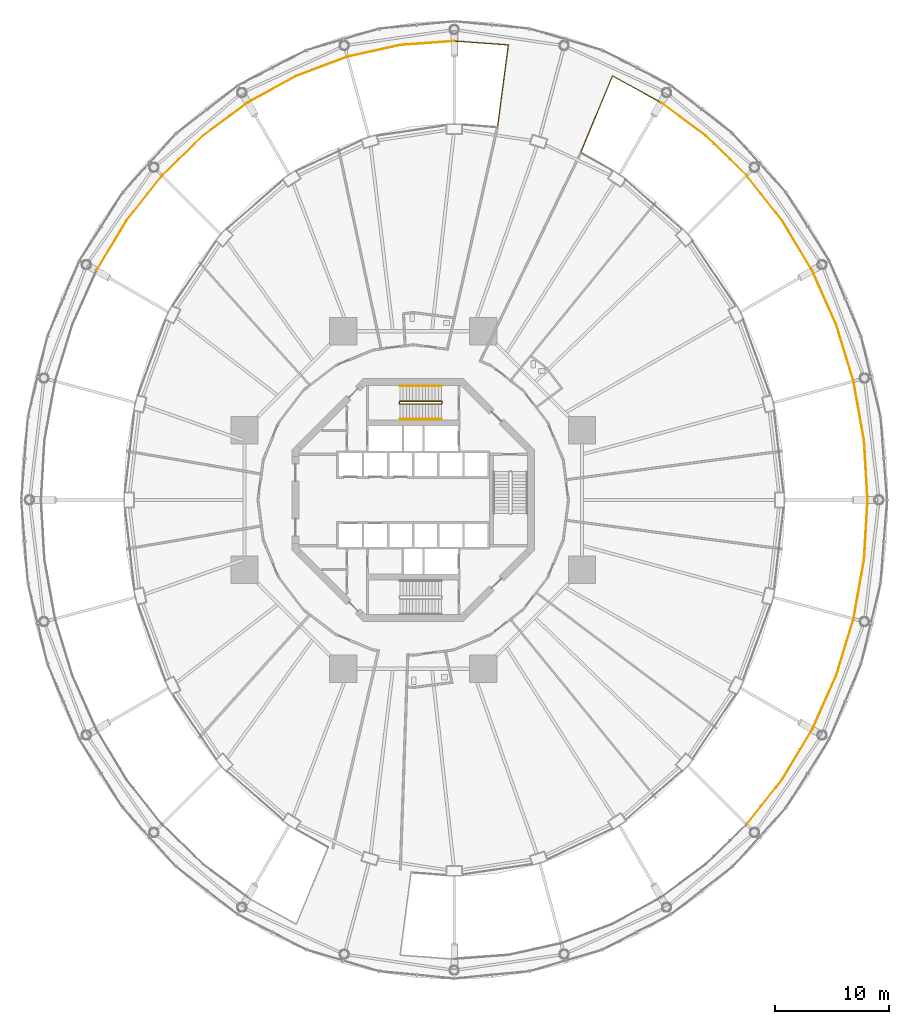
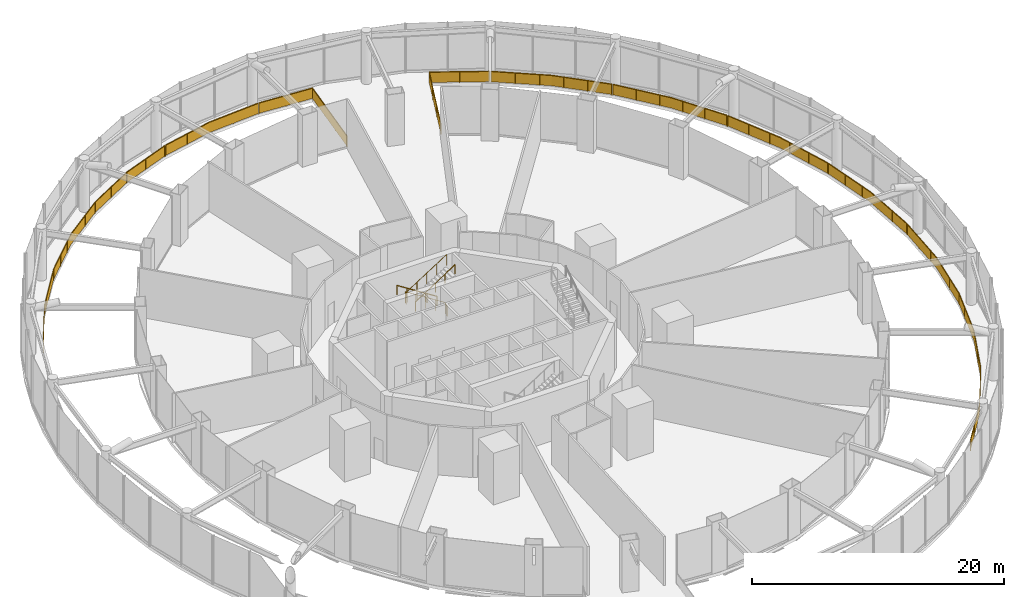
# One storey, part 51 of 52: 16 railings.
"""IFC4 building model written with IfcOpenShell, lengths in metres."""

from ifc_helpers import new_model, si_unit, direction, frame, origin, origin_2d, place, context, subcontext, project, spatial, polyline, rectangle, circle, outline, extrude, material, type_object, element, save


model = new_model("IFC4")

# Units and contexts
model_context = context("Model", 3, precision=1e-05, world=origin(), true_north=direction((0.0, 1.0)))
body_context = subcontext(model_context, "Body", "Model", "MODEL_VIEW")
ifc_project = project(units=[si_unit("LENGTHUNIT", "METRE"), si_unit("AREAUNIT", "SQUARE_METRE"), si_unit("VOLUMEUNIT", "CUBIC_METRE"), si_unit("PLANEANGLEUNIT", "RADIAN"), si_unit("MASSUNIT", "GRAM", prefix="KILO")], contexts=[model_context])

# Site, building, storey
site_placement = place(None, origin())
site = spatial("IfcSite", under=ifc_project, at=site_placement, CompositionType="ELEMENT")
building_placement = place(site_placement, origin())
building = spatial("IfcBuilding", under=site, at=building_placement, Name="Nagisa Residences", CompositionType="ELEMENT")
storey_placement = place(building_placement, frame((0.0, 0.0, 22.0)))
storey = spatial("IfcBuildingStorey", under=building, at=storey_placement, Name="L04", CompositionType="ELEMENT", Elevation=22.0)

# Railings
ifc_material_1 = material(Name="Stainless steel 316", Category="steel")
railing_type_1 = type_object("IfcRailingType", Name="ROOF GUARD 1100", PredefinedType="GUARDRAIL", material=ifc_material_1)
railing_1_placement = place(storey_placement, frame((7.390380859375, 32.75732421875, 0.0)))
element("IfcRailing", 1, at=railing_1_placement, inside=storey, type_object=railing_type_1, Name="guard:L04:gal0-00", PredefinedType="GUARDRAIL", context=body_context, shape_type="SweptSolid", body=[
    extrude(outline(polyline([(0.90625, 7.075927734375), (-0.02490234375, 0.003173828125), (0.02490234375, -0.003173828125), (0.962890625, 7.121826171875), (-3.748779296875, 7.464599609375), (-3.752197265625, 7.414794921875), (0.90625, 7.075927734375)])), frame((0.0, 0.0, 1.050048828125)), (0.0, 0.0, 1.0), 0.050048828125),
    extrude(outline(polyline([(0.9267578125, 7.092529296875), (-0.0068359375, 0.0009765625), (0.0068359375, -0.0009765625), (0.9423828125, 7.105224609375), (-3.75, 7.44677734375), (-3.7509765625, 7.4326171875), (0.9267578125, 7.092529296875)])), frame((0.0, 0.0, 0.06005859375)), (0.0, 0.0, 1.0), 0.989990234375),
    extrude(rectangle(XDim=0.0400390625, YDim=0.0400390625, at=origin_2d()), origin(), (0.0, 0.0, 1.0), 1.050048828125),
    extrude(rectangle(XDim=0.0400390625, YDim=0.0400390625, at=origin_2d()), frame((0.3095703125, 2.351318359375, 0.0)), (0.0, 0.0, 1.0), 1.050048828125),
    extrude(rectangle(XDim=0.0400390625, YDim=0.0400390625, at=origin_2d()), frame((0.619140625, 4.702392578125, 0.0)), (0.0, 0.0, 1.0), 1.050048828125),
    extrude(rectangle(XDim=0.0400390625, YDim=0.0400390625, at=origin_2d()), frame((0.9287109375, 7.0537109375, 0.0)), (0.0, 0.0, 1.0), 1.050048828125),
    extrude(rectangle(XDim=0.0400390625, YDim=0.0400390625, at=origin_2d()), frame((-1.38525390625, 7.267578125, 0.0)), (0.0, 0.0, 1.0), 1.050048828125),
    extrude(rectangle(XDim=0.0400390625, YDim=0.0400390625, at=origin_2d()), frame((-3.75048828125, 7.439697265625, 0.0)), (0.0, 0.0, 1.0), 1.050048828125),
])
railing_2_placement = place(storey_placement, frame((3.56005859375, 40.197021484375, 0.0)))
element("IfcRailing", 2, at=railing_2_placement, inside=storey, type_object=railing_type_1, Name="guard:L04:gal0-01", PredefinedType="GUARDRAIL", context=body_context, shape_type="SweptSolid", body=[
    extrude(outline(polyline([(-4.681396484375, -0.36572265625), (0.001708984375, -0.02490234375), (-0.001708984375, 0.02490234375), (-4.688720703125, -0.31591796875), (-9.295654296875, -1.333740234375), (-9.284912109375, -1.382568359375), (-4.681396484375, -0.36572265625)])), frame((0.0, 0.0, 1.050048828125)), (0.0, 0.0, 1.0), 0.050048828125),
    extrude(outline(polyline([(-4.68408203125, -0.34765625), (0.00048828125, -0.007080078125), (-0.00048828125, 0.007080078125), (-4.68603515625, -0.333984375), (-9.291748046875, -1.351318359375), (-9.288818359375, -1.364990234375), (-4.68408203125, -0.34765625)])), frame((0.0, 0.0, 0.06005859375)), (0.0, 0.0, 1.0), 0.989990234375),
    extrude(rectangle(XDim=0.0400390625, YDim=0.0400390625, at=origin_2d()), origin(), (0.0, 0.0, 1.0), 1.050048828125),
    extrude(rectangle(XDim=0.0400390625, YDim=0.0400390625, at=origin_2d()), frame((-2.34716796875, -0.170654296875, 0.0)), (0.0, 0.0, 1.0), 1.050048828125),
    extrude(rectangle(XDim=0.0400390625, YDim=0.0400390625, at=origin_2d()), frame((-4.6943359375, -0.3427734375, 0.0)), (0.0, 0.0, 1.0), 1.050048828125),
    extrude(rectangle(XDim=0.0400390625, YDim=0.0400390625, at=origin_2d()), frame((-6.9921875, -0.8505859375, 0.0)), (0.0, 0.0, 1.0), 1.050048828125),
    extrude(rectangle(XDim=0.0400390625, YDim=0.0400390625, at=origin_2d()), frame((-9.290283203125, -1.358154296875, 0.0)), (0.0, 0.0, 1.0), 1.050048828125),
])
railing_3_placement = place(storey_placement, frame((-5.806640625, 38.816162109375, 0.0)))
element("IfcRailing", 3, at=railing_3_placement, inside=storey, type_object=railing_type_1, Name="guard:L04:gal0-02", PredefinedType="GUARDRAIL", context=body_context, shape_type="SweptSolid", body=[
    extrude(outline(polyline([(-4.43603515625, -1.698974609375), (0.0087890625, -0.0234375), (-0.0087890625, 0.0234375), (-4.45703125, -1.653564453125), (-8.670166015625, -3.960693359375), (-8.646240234375, -4.004638671875), (-4.43603515625, -1.698974609375)])), frame((0.0, 0.0, 1.050048828125)), (0.0, 0.0, 1.0), 0.050048828125),
    extrude(outline(polyline([(-4.443603515625, -1.6826171875), (0.00244140625, -0.006591796875), (-0.00244140625, 0.006591796875), (-4.449462890625, -1.669921875), (-8.66162109375, -3.9765625), (-8.65478515625, -3.98876953125), (-4.443603515625, -1.6826171875)])), frame((0.0, 0.0, 0.06005859375)), (0.0, 0.0, 1.0), 0.989990234375),
    extrude(rectangle(XDim=0.0400390625, YDim=0.0400390625, at=origin_2d()), origin(), (0.0, 0.0, 1.0), 1.050048828125),
    extrude(rectangle(XDim=0.0400390625, YDim=0.0400390625, at=origin_2d()), frame((-2.23486328125, -0.842529296875, 0.0)), (0.0, 0.0, 1.0), 1.050048828125),
    extrude(rectangle(XDim=0.0400390625, YDim=0.0400390625, at=origin_2d()), frame((-4.468505859375, -1.688232421875, 0.0)), (0.0, 0.0, 1.0), 1.050048828125),
    extrude(rectangle(XDim=0.0400390625, YDim=0.0400390625, at=origin_2d()), frame((-6.563232421875, -2.83544921875, 0.0)), (0.0, 0.0, 1.0), 1.050048828125),
    extrude(rectangle(XDim=0.0400390625, YDim=0.0400390625, at=origin_2d()), frame((-8.658203125, -3.982666015625, 0.0)), (0.0, 0.0, 1.0), 1.050048828125),
])
railing_4_placement = place(storey_placement, frame((-14.5322265625, 34.790283203125, 0.0)))
element("IfcRailing", 4, at=railing_4_placement, inside=storey, type_object=railing_type_1, Name="guard:L04:gal0-03", PredefinedType="GUARDRAIL", context=body_context, shape_type="SweptSolid", body=[
    extrude(outline(polyline([(-3.888671875, -2.91650390625), (0.014892578125, -0.02001953125), (-0.014892578125, 0.02001953125), (-3.92138671875, -2.87841796875), (-7.453857421875, -6.31884765625), (-7.418701171875, -6.3544921875), (-3.888671875, -2.91650390625)])), frame((0.0, 0.0, 1.050048828125)), (0.0, 0.0, 1.0), 0.050048828125),
    extrude(outline(polyline([(-3.900390625, -2.90283203125), (0.004150390625, -0.005615234375), (-0.004150390625, 0.005615234375), (-3.90966796875, -2.89208984375), (-7.441162109375, -6.33154296875), (-7.431396484375, -6.341796875), (-3.900390625, -2.90283203125)])), frame((0.0, 0.0, 0.06005859375)), (0.0, 0.0, 1.0), 0.989990234375),
    extrude(rectangle(XDim=0.0400390625, YDim=0.0400390625, at=origin_2d()), origin(), (0.0, 0.0, 1.0), 1.050048828125),
    extrude(rectangle(XDim=0.0400390625, YDim=0.0400390625, at=origin_2d()), frame((-1.57275390625, -1.1669921875, 0.0)), (0.0, 0.0, 1.0), 1.050048828125),
    extrude(rectangle(XDim=0.0400390625, YDim=0.0400390625, at=origin_2d()), frame((-3.1455078125, -2.333984375, 0.0)), (0.0, 0.0, 1.0), 1.050048828125),
    extrude(rectangle(XDim=0.0400390625, YDim=0.0400390625, at=origin_2d()), frame((-4.63037109375, -3.60400390625, 0.0)), (0.0, 0.0, 1.0), 1.050048828125),
    extrude(rectangle(XDim=0.0400390625, YDim=0.0400390625, at=origin_2d()), frame((-6.033447265625, -4.97021484375, 0.0)), (0.0, 0.0, 1.0), 1.050048828125),
    extrude(rectangle(XDim=0.0400390625, YDim=0.0400390625, at=origin_2d()), frame((-7.436279296875, -6.336669921875, 0.0)), (0.0, 0.0, 1.0), 1.050048828125),
])
railing_5_placement = place(storey_placement, frame((-22.02197265625, 28.394287109375, 0.0)))
element("IfcRailing", 5, at=railing_5_placement, inside=storey, type_object=railing_type_1, Name="guard:L04:gal0-04", PredefinedType="GUARDRAIL", context=body_context, shape_type="SweptSolid", body=[
    extrude(outline(polyline([(-3.076904296875, -3.936279296875), (0.01953125, -0.015625), (-0.01953125, 0.015625), (-3.117919921875, -3.907958984375), (-5.72900390625, -8.2470703125), (-5.68603515625, -8.27294921875), (-3.076904296875, -3.936279296875)])), frame((0.0, 0.0, 1.050048828125)), (0.0, 0.0, 1.0), 0.050048828125),
    extrude(outline(polyline([(-3.091552734375, -3.926025390625), (0.005615234375, -0.00439453125), (-0.005615234375, 0.00439453125), (-3.103271484375, -3.918212890625), (-5.713623046875, -8.25634765625), (-5.701416015625, -8.263671875), (-3.091552734375, -3.926025390625)])), frame((0.0, 0.0, 0.06005859375)), (0.0, 0.0, 1.0), 0.989990234375),
    extrude(rectangle(XDim=0.0400390625, YDim=0.0400390625, at=origin_2d()), origin(), (0.0, 0.0, 1.0), 1.050048828125),
    extrude(rectangle(XDim=0.0400390625, YDim=0.0400390625, at=origin_2d()), frame((-1.2470703125, -1.5791015625, 0.0)), (0.0, 0.0, 1.0), 1.050048828125),
    extrude(rectangle(XDim=0.0400390625, YDim=0.0400390625, at=origin_2d()), frame((-2.494140625, -3.157958984375, 0.0)), (0.0, 0.0, 1.0), 1.050048828125),
    extrude(rectangle(XDim=0.0400390625, YDim=0.0400390625, at=origin_2d()), frame((-3.6328125, -4.81201171875, 0.0)), (0.0, 0.0, 1.0), 1.050048828125),
    extrude(rectangle(XDim=0.0400390625, YDim=0.0400390625, at=origin_2d()), frame((-4.670166015625, -6.535888671875, 0.0)), (0.0, 0.0, 1.0), 1.050048828125),
    extrude(rectangle(XDim=0.0400390625, YDim=0.0400390625, at=origin_2d()), frame((-5.70751953125, -8.260009765625, 0.0)), (0.0, 0.0, 1.0), 1.050048828125),
])
railing_6_placement = place(storey_placement, frame((29.22216796875, -28.394287109375, 0.0)))
element("IfcRailing", 6, at=railing_6_placement, inside=storey, type_object=railing_type_1, Name="guard:L04:gal1-04", PredefinedType="GUARDRAIL", context=body_context, shape_type="SweptSolid", body=[
    extrude(outline(polyline([(3.07666015625, 3.936279296875), (-0.01953125, 0.015625), (0.01953125, -0.015625), (3.11767578125, 3.907958984375), (5.728759765625, 8.2470703125), (5.685791015625, 8.27294921875), (3.07666015625, 3.936279296875)])), frame((0.0, 0.0, 1.050048828125)), (0.0, 0.0, 1.0), 0.050048828125),
    extrude(outline(polyline([(3.09130859375, 3.926025390625), (-0.005615234375, 0.00439453125), (0.005615234375, -0.00439453125), (3.10302734375, 3.918212890625), (5.71337890625, 8.25634765625), (5.701171875, 8.263671875), (3.09130859375, 3.926025390625)])), frame((0.0, 0.0, 0.06005859375)), (0.0, 0.0, 1.0), 0.989990234375),
    extrude(rectangle(XDim=0.0400390625, YDim=0.0400390625, at=origin_2d()), origin(), (0.0, 0.0, 1.0), 1.050048828125),
    extrude(rectangle(XDim=0.0400390625, YDim=0.0400390625, at=origin_2d()), frame((1.246826171875, 1.5791015625, 0.0)), (0.0, 0.0, 1.0), 1.050048828125),
    extrude(rectangle(XDim=0.0400390625, YDim=0.0400390625, at=origin_2d()), frame((2.493896484375, 3.158203125, 0.0)), (0.0, 0.0, 1.0), 1.050048828125),
    extrude(rectangle(XDim=0.0400390625, YDim=0.0400390625, at=origin_2d()), frame((3.632568359375, 4.81201171875, 0.0)), (0.0, 0.0, 1.0), 1.050048828125),
    extrude(rectangle(XDim=0.0400390625, YDim=0.0400390625, at=origin_2d()), frame((4.669921875, 6.535888671875, 0.0)), (0.0, 0.0, 1.0), 1.050048828125),
    extrude(rectangle(XDim=0.0400390625, YDim=0.0400390625, at=origin_2d()), frame((5.707275390625, 8.260009765625, 0.0)), (0.0, 0.0, 1.0), 1.050048828125),
])
railing_7_placement = place(storey_placement, frame((34.96630859375, -20.0634765625, 0.0)))
element("IfcRailing", 7, at=railing_7_placement, inside=storey, type_object=railing_type_1, Name="guard:L04:gal1-05", PredefinedType="GUARDRAIL", context=body_context, shape_type="SweptSolid", body=[
    extrude(outline(polyline([(2.0546875, 4.6884765625), (-0.02294921875, 0.01025390625), (0.02294921875, -0.01025390625), (2.1015625, 4.6708984375), (3.612548828125, 9.61328125), (3.564697265625, 9.6279296875), (2.0546875, 4.6884765625)])), frame((0.0, 0.0, 1.050048828125)), (0.0, 0.0, 1.0), 0.050048828125),
    extrude(outline(polyline([(2.071533203125, 4.68212890625), (-0.00634765625, 0.0029296875), (0.00634765625, -0.0029296875), (2.084716796875, 4.67724609375), (3.59521484375, 9.61865234375), (3.58203125, 9.62255859375), (2.071533203125, 4.68212890625)])), frame((0.0, 0.0, 0.06005859375)), (0.0, 0.0, 1.0), 0.989990234375),
    extrude(rectangle(XDim=0.0400390625, YDim=0.0400390625, at=origin_2d()), origin(), (0.0, 0.0, 1.0), 1.050048828125),
    extrude(rectangle(XDim=0.0400390625, YDim=0.0400390625, at=origin_2d()), frame((0.8349609375, 1.88037109375, 0.0)), (0.0, 0.0, 1.0), 1.050048828125),
    extrude(rectangle(XDim=0.0400390625, YDim=0.0400390625, at=origin_2d()), frame((1.669921875, 3.7607421875, 0.0)), (0.0, 0.0, 1.0), 1.050048828125),
    extrude(rectangle(XDim=0.0400390625, YDim=0.0400390625, at=origin_2d()), frame((2.3857421875, 5.685546875, 0.0)), (0.0, 0.0, 1.0), 1.050048828125),
    extrude(rectangle(XDim=0.0400390625, YDim=0.0400390625, at=origin_2d()), frame((2.987060546875, 7.653076171875, 0.0)), (0.0, 0.0, 1.0), 1.050048828125),
    extrude(rectangle(XDim=0.0400390625, YDim=0.0400390625, at=origin_2d()), frame((3.588623046875, 9.62060546875, 0.0)), (0.0, 0.0, 1.0), 1.050048828125),
])
railing_8_placement = place(storey_placement, frame((38.573486328125, -10.365234375, 0.0)))
element("IfcRailing", 8, at=railing_8_placement, inside=storey, type_object=railing_type_1, Name="guard:L04:gal1-06", PredefinedType="GUARDRAIL", context=body_context, shape_type="SweptSolid", body=[
    extrude(outline(polyline([(0.891845703125, 5.12109375), (-0.024658203125, 0.00439453125), (0.024658203125, -0.00439453125), (0.941650390625, 5.115234375), (1.2490234375, 10.32373046875), (1.19921875, 10.32666015625), (0.891845703125, 5.12109375)])), frame((0.0, 0.0, 1.050048828125)), (0.0, 0.0, 1.0), 0.050048828125),
    extrude(outline(polyline([(0.90966796875, 5.118896484375), (-0.0068359375, 0.001220703125), (0.0068359375, -0.001220703125), (0.923828125, 5.117431640625), (1.231201171875, 10.32470703125), (1.217041015625, 10.32568359375), (0.90966796875, 5.118896484375)])), frame((0.0, 0.0, 0.06005859375)), (0.0, 0.0, 1.0), 0.989990234375),
    extrude(rectangle(XDim=0.0400390625, YDim=0.0400390625, at=origin_2d()), origin(), (0.0, 0.0, 1.0), 1.050048828125),
    extrude(rectangle(XDim=0.0400390625, YDim=0.0400390625, at=origin_2d()), frame((0.3671875, 2.050537109375, 0.0)), (0.0, 0.0, 1.0), 1.050048828125),
    extrude(rectangle(XDim=0.0400390625, YDim=0.0400390625, at=origin_2d()), frame((0.734619140625, 4.10107421875, 0.0)), (0.0, 0.0, 1.0), 1.050048828125),
    extrude(rectangle(XDim=0.0400390625, YDim=0.0400390625, at=origin_2d()), frame((0.978515625, 6.166259765625, 0.0)), (0.0, 0.0, 1.0), 1.050048828125),
    extrude(rectangle(XDim=0.0400390625, YDim=0.0400390625, at=origin_2d()), frame((1.101318359375, 8.24560546875, 0.0)), (0.0, 0.0, 1.0), 1.050048828125),
    extrude(rectangle(XDim=0.0400390625, YDim=0.0400390625, at=origin_2d()), frame((1.22412109375, 10.3251953125, 0.0)), (0.0, 0.0, 1.0), 1.050048828125),
])
railing_9_placement = place(storey_placement, frame((39.797607421875, 0.0400390625, 0.0)))
element("IfcRailing", 9, at=railing_9_placement, inside=storey, type_object=railing_type_1, Name="guard:L04:gal1-07", PredefinedType="GUARDRAIL", context=body_context, shape_type="SweptSolid", body=[
    extrude(outline(polyline([(-0.332275390625, 5.2041015625), (-0.02490234375, -0.00146484375), (0.02490234375, 0.00146484375), (-0.282470703125, 5.2099609375), (-1.199462890625, 10.32958984375), (-1.248779296875, 10.32080078125), (-0.332275390625, 5.2041015625)])), frame((0.0, 0.0, 1.050048828125)), (0.0, 0.0, 1.0), 0.050048828125),
    extrude(outline(polyline([(-0.314453125, 5.206298828125), (-0.007080078125, -0.00048828125), (0.007080078125, 0.00048828125), (-0.30029296875, 5.207763671875), (-1.21728515625, 10.326416015625), (-1.23095703125, 10.323974609375), (-0.314453125, 5.206298828125)])), frame((0.0, 0.0, 0.06005859375)), (0.0, 0.0, 1.0), 0.989990234375),
    extrude(rectangle(XDim=0.0400390625, YDim=0.0400390625, at=origin_2d()), origin(), (0.0, 0.0, 1.0), 1.050048828125),
    extrude(rectangle(XDim=0.0400390625, YDim=0.0400390625, at=origin_2d()), frame((-0.122802734375, 2.07958984375, 0.0)), (0.0, 0.0, 1.0), 1.050048828125),
    extrude(rectangle(XDim=0.0400390625, YDim=0.0400390625, at=origin_2d()), frame((-0.24560546875, 4.158935546875, 0.0)), (0.0, 0.0, 1.0), 1.050048828125),
    extrude(rectangle(XDim=0.0400390625, YDim=0.0400390625, at=origin_2d()), frame((-0.489501953125, 6.22412109375, 0.0)), (0.0, 0.0, 1.0), 1.050048828125),
    extrude(rectangle(XDim=0.0400390625, YDim=0.0400390625, at=origin_2d()), frame((-0.85693359375, 8.274658203125, 0.0)), (0.0, 0.0, 1.0), 1.050048828125),
    extrude(rectangle(XDim=0.0400390625, YDim=0.0400390625, at=origin_2d()), frame((-1.22412109375, 10.3251953125, 0.0)), (0.0, 0.0, 1.0), 1.050048828125),
])
railing_10_placement = place(storey_placement, frame((38.554931640625, 10.44287109375, 0.0)))
element("IfcRailing", 10, at=railing_10_placement, inside=storey, type_object=railing_type_1, Name="guard:L04:gal1-08", PredefinedType="GUARDRAIL", context=body_context, shape_type="SweptSolid", body=[
    extrude(outline(polyline([(-1.533935546875, 4.93212890625), (-0.02392578125, -0.00732421875), (0.02392578125, 0.00732421875), (-1.487060546875, 4.94970703125), (-3.565673828125, 9.630859375), (-3.611572265625, 9.6103515625), (-1.533935546875, 4.93212890625)])), frame((0.0, 0.0, 1.050048828125)), (0.0, 0.0, 1.0), 0.050048828125),
    extrude(outline(polyline([(-1.51708984375, 4.9384765625), (-0.006591796875, -0.001953125), (0.006591796875, 0.001953125), (-1.50390625, 4.943359375), (-3.582275390625, 9.62353515625), (-3.594970703125, 9.61767578125), (-1.51708984375, 4.9384765625)])), frame((0.0, 0.0, 0.06005859375)), (0.0, 0.0, 1.0), 0.989990234375),
    extrude(rectangle(XDim=0.0400390625, YDim=0.0400390625, at=origin_2d()), origin(), (0.0, 0.0, 1.0), 1.050048828125),
    extrude(rectangle(XDim=0.0400390625, YDim=0.0400390625, at=origin_2d()), frame((-0.6015625, 1.967529296875, 0.0)), (0.0, 0.0, 1.0), 1.050048828125),
    extrude(rectangle(XDim=0.0400390625, YDim=0.0400390625, at=origin_2d()), frame((-1.202880859375, 3.93505859375, 0.0)), (0.0, 0.0, 1.0), 1.050048828125),
    extrude(rectangle(XDim=0.0400390625, YDim=0.0400390625, at=origin_2d()), frame((-1.918701171875, 5.85986328125, 0.0)), (0.0, 0.0, 1.0), 1.050048828125),
    extrude(rectangle(XDim=0.0400390625, YDim=0.0400390625, at=origin_2d()), frame((-2.753662109375, 7.740234375, 0.0)), (0.0, 0.0, 1.0), 1.050048828125),
    extrude(rectangle(XDim=0.0400390625, YDim=0.0400390625, at=origin_2d()), frame((-3.588623046875, 9.62060546875, 0.0)), (0.0, 0.0, 1.0), 1.050048828125),
])
railing_11_placement = place(storey_placement, frame((34.929443359375, 20.13427734375, 0.0)))
element("IfcRailing", 11, at=railing_11_placement, inside=storey, type_object=railing_type_1, Name="guard:L04:gal1-09", PredefinedType="GUARDRAIL", context=body_context, shape_type="SweptSolid", body=[
    extrude(outline(polyline([(-2.630615234375, 4.32373046875), (-0.021484375, -0.012939453125), (0.021484375, 0.012939453125), (-2.589599609375, 4.35205078125), (-5.687744140625, 8.275634765625), (-5.726806640625, 8.244384765625), (-2.630615234375, 4.32373046875)])), frame((0.0, 0.0, 1.050048828125)), (0.0, 0.0, 1.0), 0.050048828125),
    extrude(outline(polyline([(-2.615966796875, 4.333984375), (-0.006103515625, -0.003662109375), (0.006103515625, 0.003662109375), (-2.604248046875, 4.341796875), (-5.70166015625, 8.264404296875), (-5.712890625, 8.255615234375), (-2.615966796875, 4.333984375)])), frame((0.0, 0.0, 0.06005859375)), (0.0, 0.0, 1.0), 0.989990234375),
    extrude(rectangle(XDim=0.0400390625, YDim=0.0400390625, at=origin_2d()), origin(), (0.0, 0.0, 1.0), 1.050048828125),
    extrude(rectangle(XDim=0.0400390625, YDim=0.0400390625, at=origin_2d()), frame((-1.037353515625, 1.72412109375, 0.0)), (0.0, 0.0, 1.0), 1.050048828125),
    extrude(rectangle(XDim=0.0400390625, YDim=0.0400390625, at=origin_2d()), frame((-2.07470703125, 3.447998046875, 0.0)), (0.0, 0.0, 1.0), 1.050048828125),
    extrude(rectangle(XDim=0.0400390625, YDim=0.0400390625, at=origin_2d()), frame((-3.21337890625, 5.101806640625, 0.0)), (0.0, 0.0, 1.0), 1.050048828125),
    extrude(rectangle(XDim=0.0400390625, YDim=0.0400390625, at=origin_2d()), frame((-4.46044921875, 6.680908203125, 0.0)), (0.0, 0.0, 1.0), 1.050048828125),
    extrude(rectangle(XDim=0.0400390625, YDim=0.0400390625, at=origin_2d()), frame((-5.707275390625, 8.260009765625, 0.0)), (0.0, 0.0, 1.0), 1.050048828125),
])
railing_12_placement = place(storey_placement, frame((29.168701171875, 28.45361328125, 0.0)))
element("IfcRailing", 12, at=railing_12_placement, inside=storey, type_object=railing_type_1, Name="guard:L04:gal1-10", PredefinedType="GUARDRAIL", context=body_context, shape_type="SweptSolid", body=[
    extrude(outline(polyline([(-3.5478515625, 3.420166015625), (-0.017578125, -0.017822265625), (0.017578125, 0.017822265625), (-3.51513671875, 3.458251953125), (-7.421630859375, 6.356689453125), (-7.451416015625, 6.316650390625), (-3.5478515625, 3.420166015625)])), frame((0.0, 0.0, 1.050048828125)), (0.0, 0.0, 1.0), 0.050048828125),
    extrude(outline(polyline([(-3.5361328125, 3.433837890625), (-0.0048828125, -0.005126953125), (0.0048828125, 0.005126953125), (-3.52685546875, 3.444580078125), (-7.432373046875, 6.34228515625), (-7.440673828125, 6.3310546875), (-3.5361328125, 3.433837890625)])), frame((0.0, 0.0, 0.06005859375)), (0.0, 0.0, 1.0), 0.989990234375),
    extrude(rectangle(XDim=0.0400390625, YDim=0.0400390625, at=origin_2d()), origin(), (0.0, 0.0, 1.0), 1.050048828125),
    extrude(rectangle(XDim=0.0400390625, YDim=0.0400390625, at=origin_2d()), frame((-1.403076171875, 1.366455078125, 0.0)), (0.0, 0.0, 1.0), 1.050048828125),
    extrude(rectangle(XDim=0.0400390625, YDim=0.0400390625, at=origin_2d()), frame((-2.805908203125, 2.732666015625, 0.0)), (0.0, 0.0, 1.0), 1.050048828125),
    extrude(rectangle(XDim=0.0400390625, YDim=0.0400390625, at=origin_2d()), frame((-4.291015625, 4.002685546875, 0.0)), (0.0, 0.0, 1.0), 1.050048828125),
    extrude(rectangle(XDim=0.0400390625, YDim=0.0400390625, at=origin_2d()), frame((-5.86376953125, 5.169677734375, 0.0)), (0.0, 0.0, 1.0), 1.050048828125),
    extrude(rectangle(XDim=0.0400390625, YDim=0.0400390625, at=origin_2d()), frame((-7.4365234375, 6.336669921875, 0.0)), (0.0, 0.0, 1.0), 1.050048828125),
])
railing_13_placement = place(storey_placement, frame((21.664794921875, 34.83349609375, 0.0)))
element("IfcRailing", 13, at=railing_13_placement, inside=storey, type_object=railing_type_1, Name="guard:L04:gal1-11", PredefinedType="GUARDRAIL", context=body_context, shape_type="SweptSolid", body=[
    extrude(outline(polyline([(-4.19921875, 2.27099609375), (-0.011962890625, -0.02197265625), (0.011962890625, 0.02197265625), (-4.22412109375, 2.341796875), (-6.974853515625, -4.299072265625), (-6.928466796875, -4.318115234375), (-4.19921875, 2.27099609375)])), frame((0.0, 0.0, 1.050048828125)), (0.0, 0.0, 1.0), 0.050048828125),
    extrude(outline(polyline([(-4.208251953125, 2.296630859375), (-0.00341796875, -0.006103515625), (0.00341796875, 0.006103515625), (-4.215087890625, 2.316162109375), (-6.9580078125, -4.305908203125), (-6.9453125, -4.311279296875), (-4.208251953125, 2.296630859375)])), frame((0.0, 0.0, 0.06005859375)), (0.0, 0.0, 1.0), 0.989990234375),
    extrude(rectangle(XDim=0.0400390625, YDim=0.0400390625, at=origin_2d()), origin(), (0.0, 0.0, 1.0), 1.050048828125),
    extrude(rectangle(XDim=0.0400390625, YDim=0.0400390625, at=origin_2d()), frame((-2.098388671875, 1.149169921875, 0.0)), (0.0, 0.0, 1.0), 1.050048828125),
    extrude(rectangle(XDim=0.0400390625, YDim=0.0400390625, at=origin_2d()), frame((-4.19677734375, 2.298095703125, 0.0)), (0.0, 0.0, 1.0), 1.050048828125),
    extrude(rectangle(XDim=0.0400390625, YDim=0.0400390625, at=origin_2d()), frame((-5.12060546875, 0.11181640625, 0.0)), (0.0, 0.0, 1.0), 1.050048828125),
    extrude(rectangle(XDim=0.0400390625, YDim=0.0400390625, at=origin_2d()), frame((-6.0361328125, -2.098388671875, 0.0)), (0.0, 0.0, 1.0), 1.050048828125),
    extrude(rectangle(XDim=0.0400390625, YDim=0.0400390625, at=origin_2d()), frame((-6.95166015625, -4.30859375, 0.0)), (0.0, 0.0, 1.0), 1.050048828125),
])
ifc_material_2 = material(Name="Stainless steel", Category="steel")
railing_type_2 = type_object("IfcRailingType", Name="Stair guard 1100", PredefinedType="GUARDRAIL", material=ifc_material_2)
railing_14_placement = place(storey_placement, frame((2.52490234375, 8.44970703125, 0.0)))
element("IfcRailing", 14, at=railing_14_placement, inside=storey, type_object=railing_type_2, Name="L04 ST-N stair guard 1", PredefinedType="GUARDRAIL", context=body_context, shape_type="SweptSolid", body=[
    extrude(circle(Radius=0.02392578125, at=origin_2d()), frame((0.0, 0.0, 1.076171875), z_axis=(0.0, 1.0, 0.0), x_axis=(-1.0, 0.0, 0.0)), (0.0, 0.0, 1.0), 0.14990234375),
    extrude(circle(Radius=0.02392578125, at=origin_2d()), frame((0.0, 0.14990234375, 1.076171875), z_axis=(-0.25949872427, 0.26077077684, 0.929870428634), x_axis=(-0.708833529934, -0.705375805398, 0.0)), (0.0, 0.0, 1.0), 0.19189453125),
    extrude(circle(Radius=0.02392578125, at=origin_2d()), frame((-0.0498046875, 0.199951171875, 1.25439453125), z_axis=(-0.843127859045, 0.0, 0.537713132908), x_axis=(0.0, -1.0, 0.0)), (0.0, 0.0, 1.0), 4.3173828125),
    extrude(circle(Radius=0.02392578125, at=origin_2d()), frame((-3.68994140625, 0.199951171875, 3.576171875), z_axis=(-0.707106781187, -0.707106781187, 0.0), x_axis=(0.707106781187, -0.707106781187, 0.0)), (0.0, 0.0, 1.0), 0.07080078125),
    extrude(circle(Radius=0.02392578125, at=origin_2d()), frame((-3.739990234375, 0.14990234375, 3.576171875), z_axis=(0.0, -1.0, 0.0), x_axis=(1.0, 0.0, 0.0)), (0.0, 0.0, 1.0), 0.14990234375),
    extrude(circle(Radius=0.02392578125, at=origin_2d()), frame((-3.739990234375, 0.0, 3.576171875), z_axis=(0.260684529273, -0.260684529273, 0.929562882432), x_axis=(0.707106781187, 0.707106781187, 0.0)), (0.0, 0.0, 1.0), 0.19189453125),
    extrude(circle(Radius=0.02392578125, at=origin_2d()), frame((-3.68994140625, -0.050048828125, 3.75439453125), z_axis=(0.843127859045, 0.0, 0.537713132908), x_axis=(0.0, 1.0, 0.0)), (0.0, 0.0, 1.0), 4.3173828125),
    extrude(circle(Radius=0.02099609375, at=origin_2d()), origin(), (0.0, 0.0, 1.0), 1.052001953125),
    extrude(circle(Radius=0.02099609375, at=origin_2d()), frame((0.0, 0.14990234375, 0.0)), (0.0, 0.0, 1.0), 1.052001953125),
    extrude(circle(Radius=0.02099609375, at=origin_2d()), frame((-0.0498046875, 0.199951171875, 0.178466796875)), (0.0, 0.0, 1.0), 1.052001953125),
    extrude(circle(Radius=0.02099609375, at=origin_2d()), frame((-0.9599609375, 0.199951171875, 0.7587890625)), (0.0, 0.0, 1.0), 1.052001953125),
    extrude(circle(Radius=0.02099609375, at=origin_2d()), frame((-1.869873046875, 0.199951171875, 1.33935546875)), (0.0, 0.0, 1.0), 1.052001953125),
    extrude(circle(Radius=0.02099609375, at=origin_2d()), frame((-2.77978515625, 0.199951171875, 1.919677734375)), (0.0, 0.0, 1.0), 1.052001953125),
    extrude(circle(Radius=0.02099609375, at=origin_2d()), frame((-3.68994140625, 0.199951171875, 2.5)), (0.0, 0.0, 1.0), 1.052001953125),
    extrude(circle(Radius=0.02099609375, at=origin_2d()), frame((-3.739990234375, 0.14990234375, 2.5)), (0.0, 0.0, 1.0), 1.052001953125),
    extrude(circle(Radius=0.02099609375, at=origin_2d()), frame((-3.739990234375, 0.0, 2.5)), (0.0, 0.0, 1.0), 1.052001953125),
    extrude(circle(Radius=0.02099609375, at=origin_2d()), frame((-3.68994140625, -0.050048828125, 2.678466796875)), (0.0, 0.0, 1.0), 1.052001953125),
    extrude(circle(Radius=0.02099609375, at=origin_2d()), frame((-2.77978515625, -0.050048828125, 3.2587890625)), (0.0, 0.0, 1.0), 1.052001953125),
    extrude(circle(Radius=0.02099609375, at=origin_2d()), frame((-1.869873046875, -0.050048828125, 3.83935546875)), (0.0, 0.0, 1.0), 1.052001953125),
    extrude(circle(Radius=0.02099609375, at=origin_2d()), frame((-0.9599609375, -0.050048828125, 4.419677734375)), (0.0, 0.0, 1.0), 1.052001953125),
    extrude(circle(Radius=0.02099609375, at=origin_2d()), frame((-0.0498046875, -0.050048828125, 5.0)), (0.0, 0.0, 1.0), 1.052001953125),
])
ifc_material_3 = material(Name="Stainless steel", Category="steel")
railing_type_3 = type_object("IfcRailingType", Name="Stair handrail 900", PredefinedType="HANDRAIL", material=ifc_material_3)
railing_15_placement = place(storey_placement, frame((2.47509765625, 9.974609375, 0.178466796875)))
element("IfcRailing", 15, at=railing_15_placement, inside=storey, type_object=railing_type_3, Name="L04 ST-N stair handrail 1", PredefinedType="HANDRAIL", context=body_context, shape_type="SweptSolid", body=[
    extrude(circle(Radius=0.02392578125, at=origin_2d()), frame((0.0, 0.0, 0.8759765625), z_axis=(-0.843127859045, 0.0, 0.537713132908), x_axis=(0.0, -1.0, 0.0)), (0.0, 0.0, 1.0), 4.3173828125),
    extrude(circle(Radius=0.02099609375, at=origin_2d()), origin(), (0.0, 0.0, 1.0), 0.851806640625),
    extrude(circle(Radius=0.02099609375, at=origin_2d()), frame((-0.91015625, 0.0, 0.580322265625)), (0.0, 0.0, 1.0), 0.851806640625),
    extrude(circle(Radius=0.02099609375, at=origin_2d()), frame((-1.820068359375, 0.0, 1.16064453125)), (0.0, 0.0, 1.0), 0.851806640625),
    extrude(circle(Radius=0.02099609375, at=origin_2d()), frame((-2.72998046875, 0.0, 1.7412109375)), (0.0, 0.0, 1.0), 0.851806640625),
    extrude(circle(Radius=0.02099609375, at=origin_2d()), frame((-3.64013671875, 0.0, 2.321533203125)), (0.0, 0.0, 1.0), 0.851806640625),
])
railing_16_placement = place(storey_placement, frame((-1.1650390625, 7.07470703125, 2.678466796875)))
element("IfcRailing", 16, at=railing_16_placement, inside=storey, type_object=railing_type_3, Name="L04 ST-N stair handrail 2", PredefinedType="HANDRAIL", context=body_context, shape_type="SweptSolid", body=[
    extrude(circle(Radius=0.02392578125, at=origin_2d()), frame((0.0, 0.0, 0.8759765625), z_axis=(0.843127859045, 0.0, 0.537713132908), x_axis=(0.0, 1.0, 0.0)), (0.0, 0.0, 1.0), 4.3173828125),
    extrude(circle(Radius=0.02099609375, at=origin_2d()), origin(), (0.0, 0.0, 1.0), 0.851806640625),
    extrude(circle(Radius=0.02099609375, at=origin_2d()), frame((0.91015625, 0.0, 0.580322265625)), (0.0, 0.0, 1.0), 0.851806640625),
    extrude(circle(Radius=0.02099609375, at=origin_2d()), frame((1.820068359375, 0.0, 1.16064453125)), (0.0, 0.0, 1.0), 0.851806640625),
    extrude(circle(Radius=0.02099609375, at=origin_2d()), frame((2.72998046875, 0.0, 1.7412109375)), (0.0, 0.0, 1.0), 0.851806640625),
    extrude(circle(Radius=0.02099609375, at=origin_2d()), frame((3.64013671875, 0.0, 2.321533203125)), (0.0, 0.0, 1.0), 0.851806640625),
])

save(model, "model.ifc")
